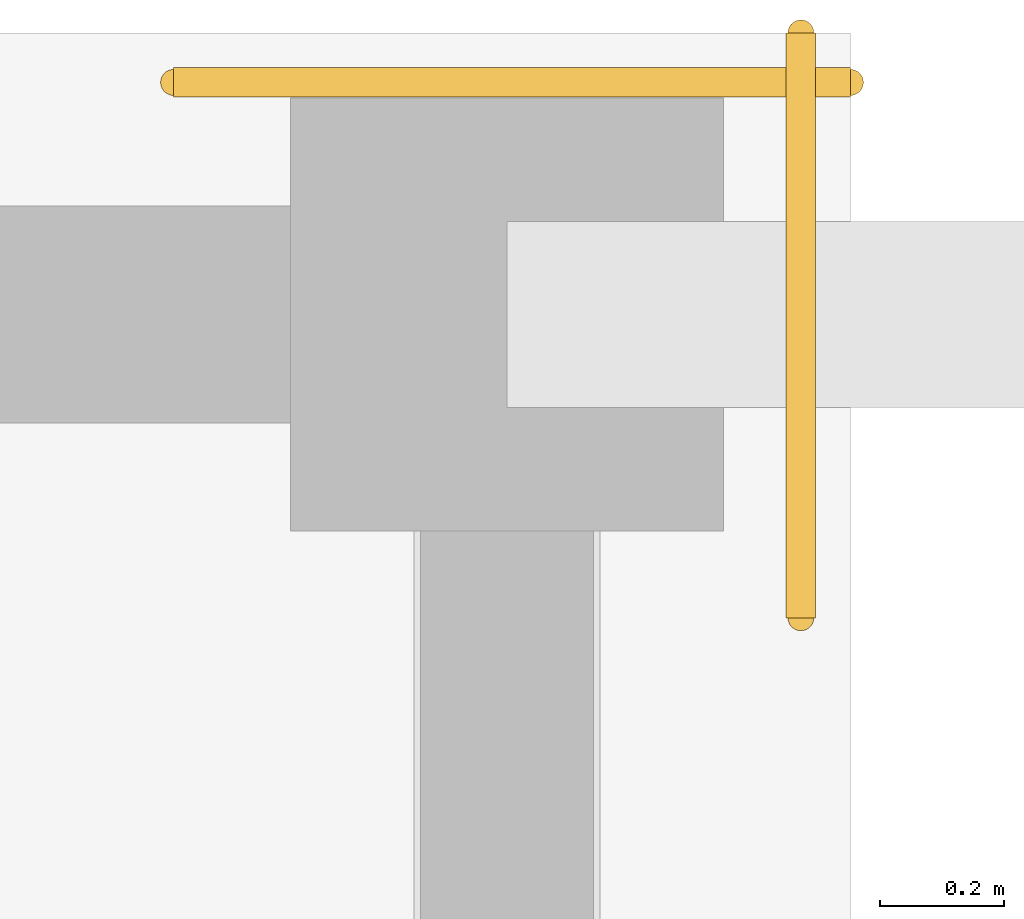
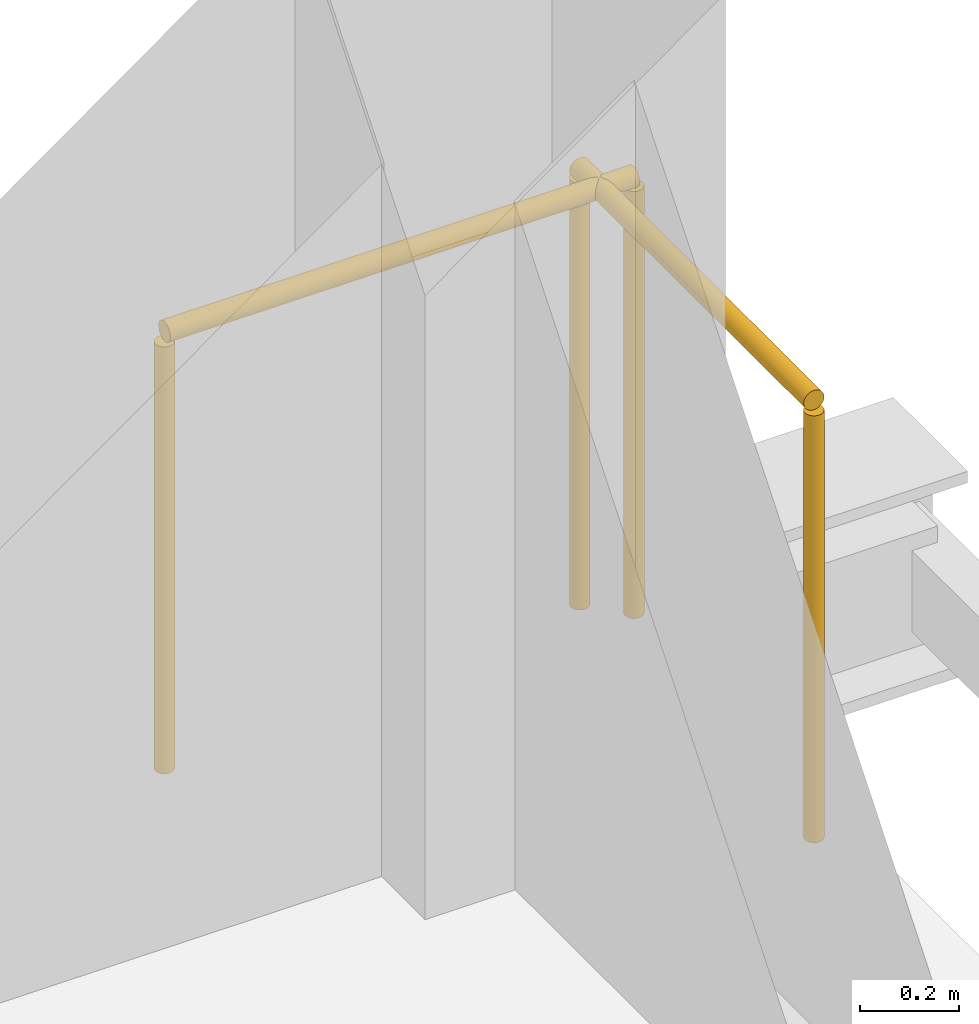
# One storey, part 51 of 51: 2 railings.
"""IFC4 building model written with IfcOpenShell, lengths in metres."""

from ifc_helpers import new_model, si_unit, direction, frame, origin, origin_2d, place, context, subcontext, project, spatial, circle, extrude, material, type_object, element, save


model = new_model("IFC4")

# Units and contexts
model_context = context("Model", 3, precision=1e-05, world=origin(), true_north=direction((0.0, 1.0)))
body_context = subcontext(model_context, "Body", "Model", "MODEL_VIEW")
ifc_project = project(units=[si_unit("LENGTHUNIT", "METRE"), si_unit("AREAUNIT", "SQUARE_METRE"), si_unit("VOLUMEUNIT", "CUBIC_METRE"), si_unit("PLANEANGLEUNIT", "RADIAN"), si_unit("MASSUNIT", "GRAM", prefix="KILO")], contexts=[model_context])

# Site, building, storey
site_placement = place(None, origin())
site = spatial("IfcSite", under=ifc_project, at=site_placement, CompositionType="ELEMENT")
building_placement = place(site_placement, origin())
building = spatial("IfcBuilding", under=site, at=building_placement, Name="Koshinbarg Plaza Stadium", CompositionType="ELEMENT")
storey_placement = place(building_placement, frame((0.0, 0.0, 24.60009765625)))
storey = spatial("IfcBuildingStorey", under=building, at=storey_placement, Name="L05", CompositionType="ELEMENT", Elevation=24.60009765625)

# Railings
ifc_material = material(Name="Toughened laminated glass and stainless steel sightline balustrade", Category="steel")
railing_type = type_object("IfcRailingType", Name="RL-BOWL-1100", PredefinedType="BALUSTRADE", material=ifc_material)
railing_1_placement = place(storey_placement, frame((217.861083984375, 126.875, 0.0)))
element("IfcRailing", 1, at=railing_1_placement, inside=storey, type_object=railing_type, Name="L05 deck edge safety balustrade 0396", PredefinedType="BALUSTRADE", context=body_context, shape_type="SweptSolid", body=[
    extrude(circle(Radius=0.02392578125, at=origin_2d()), frame((0.0, 0.0, 1.076171875), z_axis=(1.0, 0.0, 0.0), x_axis=(0.0, 1.0, 0.0)), (0.0, 0.0, 1.0), 1.093994140625),
    extrude(circle(Radius=0.02099609375, at=origin_2d()), origin(), (0.0, 0.0, 1.0), 1.052001953125),
    extrude(circle(Radius=0.02099609375, at=origin_2d()), frame((1.093994140625, 0.0, 0.0)), (0.0, 0.0, 1.0), 1.052001953125),
])
railing_2_placement = place(storey_placement, frame((218.875, 126.955078125, 0.0)))
element("IfcRailing", 2, at=railing_2_placement, inside=storey, type_object=railing_type, Name="L05 deck edge safety balustrade 0397", PredefinedType="BALUSTRADE", context=body_context, shape_type="SweptSolid", body=[
    extrude(circle(Radius=0.02392578125, at=origin_2d()), frame((0.0, 0.0, 1.076171875), z_axis=(0.0, -1.0, 0.0), x_axis=(1.0, 0.0, 0.0)), (0.0, 0.0, 1.0), 0.9453125),
    extrude(circle(Radius=0.02099609375, at=origin_2d()), origin(), (0.0, 0.0, 1.0), 1.052001953125),
    extrude(circle(Radius=0.02099609375, at=origin_2d()), frame((0.0, -0.9453125, 0.0)), (0.0, 0.0, 1.0), 1.052001953125),
])

save(model, "model.ifc")
